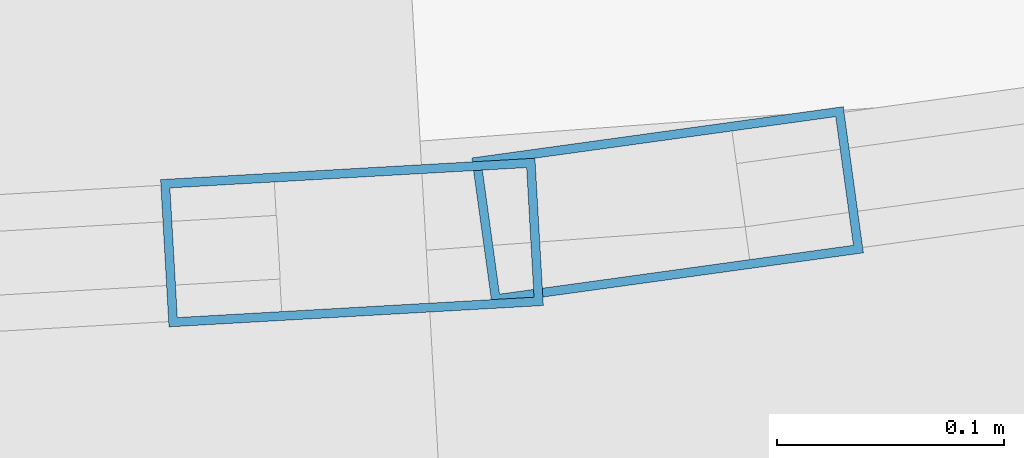
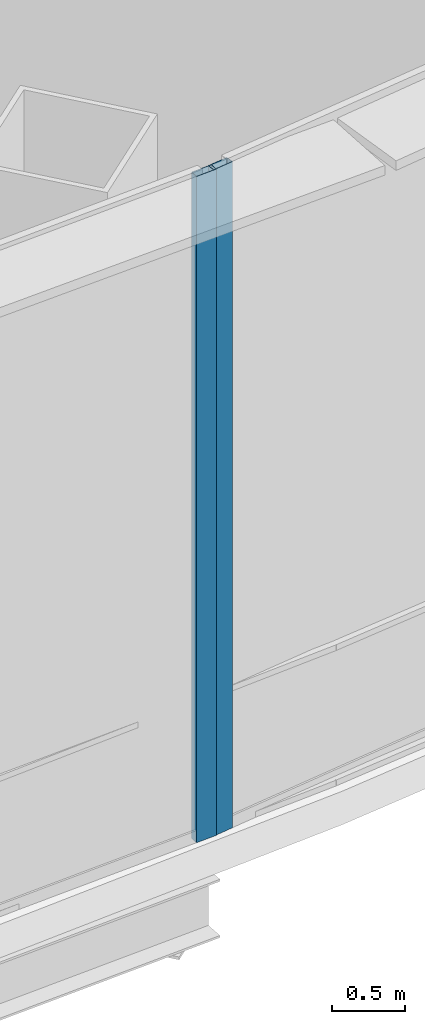
# One storey, part 13 of 36: 2 members, 2 elements without a shape of their own.
"""IFC4 building model written with IfcOpenShell, lengths in metres."""

import ifcopenshell
import ifcopenshell.guid

model = None  # the IFC model being written
_history = None  # IfcOwnerHistory: only IFC2X3 demands one
_inside = {}  # id of a spatial element -> (the spatial element, [elements in it])
_under = {}  # id of a project, library or spatial element -> (it, [spatial elements below it])
_declared = {}  # id of a project -> (the project, [libraries it declares])
_typed = {}  # id of a type object -> (the type object, [elements of that type])
_made_of = {}  # id of a material, layer set ... -> (it, [elements and type objects made of it])


def new_model(schema):
    """Start an empty IFC model of exactly this schema.

    Asked for "IFC4X3", IfcOpenShell would pick the latest addendum, in which some entities
    have other attributes; the version numbers below select the first issue.
    IFC2X3 requires an IfcOwnerHistory on every rooted entity: one is made here for all.
    """
    global model, _history
    if schema == "IFC4X3":
        model = ifcopenshell.file(schema_version=(4, 3, 0, 0))
    else:
        model = ifcopenshell.file(schema=schema)
    _inside.clear()
    _under.clear()
    _declared.clear()
    _typed.clear()
    _made_of.clear()
    _history = None
    if model.schema == "IFC2X3":
        org = make("IfcOrganization", Name="unknown")
        user = make(
            "IfcPersonAndOrganization",
            ThePerson=make("IfcPerson", FamilyName="unknown"),
            TheOrganization=org,
        )
        app = make(
            "IfcApplication",
            ApplicationDeveloper=org,
            Version="unknown",
            ApplicationFullName="unknown",
            ApplicationIdentifier="unknown",
        )
        _history = make(
            "IfcOwnerHistory",
            OwningUser=user,
            OwningApplication=app,
            ChangeAction="ADDED",
            CreationDate=0,
        )
    return model


def make(cls, **values):
    """One entity of the class cls with the attributes given. An attribute that is None is left unset."""
    return model.create_entity(
        cls, **{name: value for name, value in values.items() if value is not None}
    )


def rooted(cls, **values):
    """An entity with a GlobalId (a new one), such as an element, a storey or a relation."""
    return make(cls, GlobalId=ifcopenshell.guid.new(), OwnerHistory=_history, **values)


def si_unit(unit_type, name, prefix=None):
    """IfcSIUnit, for example si_unit("LENGTHUNIT", "METRE", prefix="MILLI")."""
    return make("IfcSIUnit", UnitType=unit_type, Prefix=prefix, Name=name)


def assignment(units):
    """IfcUnitAssignment: the units of a project."""
    return None if units is None else make("IfcUnitAssignment", Units=units)


def point(xyz):
    """IfcCartesianPoint."""
    return None if xyz is None else make("IfcCartesianPoint", Coordinates=xyz)


def direction(xyz):
    """IfcDirection."""
    return None if xyz is None else make("IfcDirection", DirectionRatios=xyz)


def frame(location, z_axis=None, x_axis=None):
    """IfcAxis2Placement3D, a coordinate frame: its origin and axes. An axis left out is left unset."""
    return make(
        "IfcAxis2Placement3D",
        Location=point(location),
        Axis=direction(z_axis),
        RefDirection=direction(x_axis),
    )


def frame_2d(location, x_axis=None):
    """IfcAxis2Placement2D, a coordinate frame in the plane: its origin and x axis."""
    return make(
        "IfcAxis2Placement2D", Location=point(location), RefDirection=direction(x_axis)
    )


def origin():
    """The frame at (0, 0, 0) with its axes left unset."""
    return frame((0.0, 0.0, 0.0))


def origin_2d():
    """The frame at (0, 0) in the plane with its x axis left unset."""
    return frame_2d((0.0, 0.0))


def place(relative_to, where):
    """IfcLocalPlacement: puts the frame where relative to a parent placement (None: the world)."""
    return make(
        "IfcLocalPlacement", PlacementRelTo=relative_to, RelativePlacement=where
    )


def context(
    kind, dimensions, precision=None, world=None, true_north=None, identifier=None
):
    """IfcGeometricRepresentationContext, for example the 3D "Model" context."""
    return make(
        "IfcGeometricRepresentationContext",
        ContextIdentifier=identifier,
        ContextType=kind,
        CoordinateSpaceDimension=dimensions,
        Precision=precision,
        WorldCoordinateSystem=world,
        TrueNorth=true_north,
    )


def subcontext(parent, identifier, kind, view, scale=None):
    """IfcGeometricRepresentationSubContext, for example "Body" below "Model"."""
    return make(
        "IfcGeometricRepresentationSubContext",
        ContextIdentifier=identifier,
        ContextType=kind,
        ParentContext=parent,
        TargetScale=scale,
        TargetView=view,
    )


def project(units=None, contexts=None):
    """IfcProject with its units and contexts."""
    return rooted(
        "IfcProject",
        Name="project",
        RepresentationContexts=contexts,
        UnitsInContext=assignment(units),
    )


def spatial(cls, under=None, at=None, **own):
    """A site, building, storey or space (cls), placed at a placement, below another one or the project."""
    s = rooted(cls, ObjectPlacement=at, **own)
    if under is not None:
        _under.setdefault(under.id(), (under, []))[1].append(s)
    return s


def profile(cls, at=None, kind="AREA", **sizes):
    """A parametric profile (cls). Its sizes go by their IFC names, for example OverallWidth=200.0."""
    return make(cls, ProfileType=kind, Position=at, **sizes)


def hollow_rectangle(**sizes):
    """IfcRectangleHollowProfileDef."""
    return profile("IfcRectangleHollowProfileDef", **sizes)


def extrude(swept, where, along, depth):
    """IfcExtrudedAreaSolid: the profile swept, set in the frame where, extruded along a direction by depth."""
    return make(
        "IfcExtrudedAreaSolid",
        SweptArea=swept,
        Position=where,
        ExtrudedDirection=direction(along),
        Depth=depth,
    )


def shape(context_of_items, identifier, shape_type, items):
    """IfcShapeRepresentation: the items that make up one representation, for example the "Body"."""
    return make(
        "IfcShapeRepresentation",
        ContextOfItems=context_of_items,
        RepresentationIdentifier=identifier,
        RepresentationType=shape_type,
        Items=items,
    )


def source(mapping_origin, context_of_items, identifier, shape_type, items):
    """IfcRepresentationMap: a shape defined once, which mapped items show again and again."""
    return make(
        "IfcRepresentationMap",
        MappingOrigin=mapping_origin,
        MappedRepresentation=shape(context_of_items, identifier, shape_type, items),
    )


def transform(
    local_origin,
    x_axis=None,
    y_axis=None,
    z_axis=None,
    scale=None,
    scale2=None,
    scale3=None,
    uniform=True,
):
    """IfcCartesianTransformationOperator3D, or its non-uniform kind. x_axis, y_axis, z_axis: its Axis1, 2, 3."""
    if uniform:
        return make(
            "IfcCartesianTransformationOperator3D",
            Axis1=direction(x_axis),
            Axis2=direction(y_axis),
            LocalOrigin=point(local_origin),
            Scale=scale,
            Axis3=direction(z_axis),
        )
    return make(
        "IfcCartesianTransformationOperator3DnonUniform",
        Axis1=direction(x_axis),
        Axis2=direction(y_axis),
        LocalOrigin=point(local_origin),
        Scale=scale,
        Axis3=direction(z_axis),
        Scale2=scale2,
        Scale3=scale3,
    )


def mapped(mapping_source, mapping_target):
    """IfcMappedItem: shows the shape of a source again, moved by a transform."""
    return make(
        "IfcMappedItem", MappingSource=mapping_source, MappingTarget=mapping_target
    )


def material(Name=None, Category=None):
    """IfcMaterial."""
    return make("IfcMaterial", Name=Name, Category=Category)


def layer(
    of_material, thickness, ventilated=None, Name=None, Category=None, Priority=None
):
    """IfcMaterialLayer: one layer of a wall or slab, of a material (None: an air gap)."""
    return make(
        "IfcMaterialLayer",
        Material=of_material,
        LayerThickness=thickness,
        IsVentilated=ventilated,
        Name=Name,
        Category=Category,
        Priority=Priority,
    )


def layer_set(layers, Name=None):
    """IfcMaterialLayerSet."""
    return make("IfcMaterialLayerSet", MaterialLayers=layers, LayerSetName=Name)


def material_profile(
    of_material, cross_section, Name=None, Category=None, Priority=None
):
    """IfcMaterialProfile: a cross section and its material."""
    return make(
        "IfcMaterialProfile",
        Name=Name,
        Material=of_material,
        Profile=cross_section,
        Priority=Priority,
        Category=Category,
    )


def profile_set(profiles, Name=None, composite=None):
    """IfcMaterialProfileSet."""
    return make(
        "IfcMaterialProfileSet",
        Name=Name,
        MaterialProfiles=profiles,
        CompositeProfile=composite,
    )


def made_of(thing, what):
    """Note that an element or type object is made of a material, layer set ...; save() writes the relation."""
    if what is not None:
        _made_of.setdefault(what.id(), (what, []))[1].append(thing)
    return thing


def type_object(cls, material=None, **own):
    """A type object (cls), such as IfcWallType, which elements share."""
    return made_of(rooted(cls, **own), material)


def element(
    cls,
    number,
    at=None,
    inside=None,
    cuts=None,
    type_object=None,
    material=None,
    context=None,
    identifier="Body",
    shape_type=None,
    held_by="IfcProductDefinitionShape",
    body=None,
    shapes=None,
    **own,
):
    """One element of the class cls, such as IfcWall. Its Tag is "e" and its number.

    at: its placement. inside: the storey or other place that contains it. cuts: it is an
    opening in that element (IfcRelVoidsElement). A single representation is given by context,
    identifier, shape_type and body (its items); several are given by shapes. held_by: the class
    of the entity that holds the representations. save() writes the other relations.
    """
    e = rooted(cls, Tag="e%d" % number, ObjectPlacement=at, **own)
    if body is not None:
        shapes = [shape(context, identifier, shape_type, body)]
    if shapes is not None:
        e.Representation = make(held_by, Representations=shapes)
    if inside is not None:
        _inside.setdefault(inside.id(), (inside, []))[1].append(e)
    if cuts is not None:
        rooted(
            "IfcRelVoidsElement", RelatingBuildingElement=cuts, RelatedOpeningElement=e
        )
    if type_object is not None:
        _typed.setdefault(type_object.id(), (type_object, []))[1].append(e)
    return made_of(e, material)


def aggregate(whole, parts):
    """IfcRelAggregates: a whole, such as a stair, and the parts it consists of."""
    return rooted("IfcRelAggregates", RelatingObject=whole, RelatedObjects=parts)


def save(model, path):
    """Write the relations noted so far, then the file.

    IfcRelAggregates (storeys below a building ...), IfcRelContainedInSpatialStructure (elements
    in a storey), IfcRelDefinesByType, IfcRelAssociatesMaterial and IfcRelDeclares: one each for
    every whole, place, type object, material and project.
    """
    for whole, parts in _under.values():
        aggregate(whole, parts)
    for where, things in _inside.values():
        rooted(
            "IfcRelContainedInSpatialStructure",
            RelatedElements=things,
            RelatingStructure=where,
        )
    for kind, things in _typed.values():
        rooted("IfcRelDefinesByType", RelatedObjects=things, RelatingType=kind)
    for what, things in _made_of.values():
        rooted("IfcRelAssociatesMaterial", RelatedObjects=things, RelatingMaterial=what)
    for by, libraries in _declared.values():
        rooted("IfcRelDeclares", RelatingContext=by, RelatedDefinitions=libraries)
    model.write(path)


model = new_model("IFC4")

# Units and contexts
model_context = context("Model", 3, precision=1e-05, world=origin(), true_north=direction((0.0, 1.0)))
body_context = subcontext(model_context, "Body", "Model", "MODEL_VIEW")
ifc_project = project(units=[si_unit("LENGTHUNIT", "METRE"), si_unit("AREAUNIT", "SQUARE_METRE"), si_unit("VOLUMEUNIT", "CUBIC_METRE"), si_unit("PLANEANGLEUNIT", "RADIAN"), si_unit("MASSUNIT", "GRAM", prefix="KILO"), si_unit("THERMODYNAMICTEMPERATUREUNIT", "KELVIN"), si_unit("POWERUNIT", "WATT")], contexts=[model_context])

# Site, building, storey
site_placement = place(None, origin())
site = spatial("IfcSite", under=ifc_project, at=site_placement, CompositionType="ELEMENT")
building_placement = place(site_placement, origin())
building = spatial("IfcBuilding", under=site, at=building_placement, Name="Yunzhuo Pagoda Commons", CompositionType="ELEMENT")
storey_placement = place(building_placement, frame((0.0, 0.0, 119.179931640625)))
storey = spatial("IfcBuildingStorey", under=building, at=storey_placement, Name="L30", CompositionType="ELEMENT", Elevation=119.179931640625)

# Curtain wall, member
ifc_material = material(Name="Anodized aluminium 6063-T6", Category="aluminium")
ifc_layer = layer(ifc_material, 0.1650390625)
ifc_layer_set = layer_set([ifc_layer], Name="Anodized aluminium 6063-T6")
curtain_wall_type = type_object("IfcCurtainWallType", Name="CW-LOW Low-Zone Ribbon Curtain Wall", PredefinedType="NOTDEFINED", material=ifc_layer_set)
curtain_wall_1_placement = place(storey_placement, origin())
curtain_wall_1 = element("IfcCurtainWall", 1, at=curtain_wall_1_placement, inside=storey, type_object=curtain_wall_type, Name="L30 curtain wall CW-L30-F1B4", PredefinedType="NOTDEFINED")
ifc_material_profile = material_profile(ifc_material, hollow_rectangle(XDim=0.06494140625, YDim=0.1650390625, WallThickness=0.00390625, at=origin_2d()), Name="Anodized aluminium 6063-T6")
ifc_profile_set = profile_set([ifc_material_profile], Name="Anodized aluminium 6063-T6")
member_type = type_object("IfcMemberType", Name="CW-LOW-M Mullion RHS 165x65x4", PredefinedType="MULLION", material=ifc_profile_set)
shared_shape = source(origin(), body_context, "Body", "SweptSolid", [
    extrude(hollow_rectangle(XDim=0.06494140625, YDim=0.1650390625, WallThickness=0.00390625, at=origin_2d()), origin(), (0.0, 0.0, 1.0), 5.570068359375),
])
member_1_placement = place(storey_placement, frame((65.07861328125, 13.30615234375, 0.0), z_axis=(0.0, 0.0, 1.0), x_axis=(-0.056890920994, 0.998380400002, 0.0)))
member_1 = element("IfcMember", 2, at=member_1_placement, type_object=member_type, Name="CW mullion 2", PredefinedType="MULLION", context=body_context, shape_type="MappedRepresentation", body=[
    mapped(shared_shape, transform((0.0, 0.0, 0.0), scale=1.0)),
])
aggregate(curtain_wall_1, [member_1])

curtain_wall_2_placement = place(storey_placement, origin())
curtain_wall_2 = element("IfcCurtainWall", 3, at=curtain_wall_2_placement, inside=storey, type_object=curtain_wall_type, Name="L30 curtain wall CW-L30-F1B5", PredefinedType="NOTDEFINED")
member_2_placement = place(storey_placement, frame((65.217529296875, 13.322509765625, 0.0), z_axis=(0.0, 0.0, 1.0), x_axis=(-0.13665715321, 0.990618404067, 0.0)))
member_2 = element("IfcMember", 4, at=member_2_placement, type_object=member_type, Name="CW mullion 1", PredefinedType="MULLION", context=body_context, shape_type="MappedRepresentation", body=[
    mapped(shared_shape, transform((0.0, 0.0, 0.0), scale=1.0)),
])
aggregate(curtain_wall_2, [member_2])

save(model, "model.ifc")
